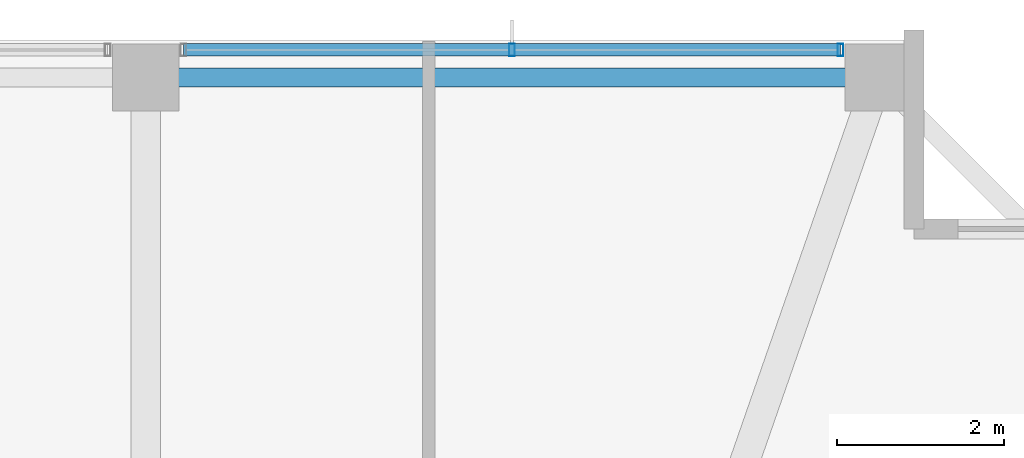
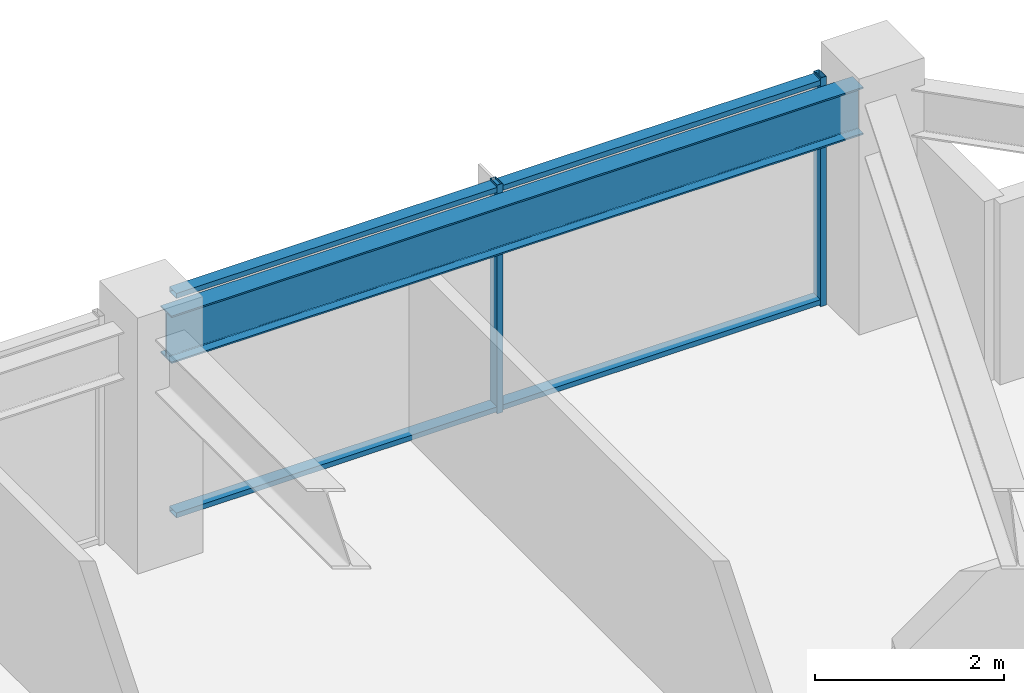
# One storey, part 20 of 34: 4 members, 1 beam, 1 element without a shape of its own.
"""IFC4 building model written with IfcOpenShell, lengths in metres."""

from ifc_helpers import new_model, si_unit, direction, frame, origin, origin_2d, place, context, subcontext, project, spatial, hollow_rectangle, i_section, extrude, material, material_profile, profile_set, type_object, element, aggregate, save


model = new_model("IFC4")

# Units and contexts
model_context = context("Model", 3, precision=1e-05, world=origin(), true_north=direction((0.0, 1.0)))
body_context = subcontext(model_context, "Body", "Model", "MODEL_VIEW")
ifc_project = project(units=[si_unit("LENGTHUNIT", "METRE"), si_unit("AREAUNIT", "SQUARE_METRE"), si_unit("VOLUMEUNIT", "CUBIC_METRE"), si_unit("PLANEANGLEUNIT", "RADIAN"), si_unit("MASSUNIT", "GRAM", prefix="KILO")], contexts=[model_context])

# Site, building, storey
site_placement = place(None, origin())
site = spatial("IfcSite", under=ifc_project, at=site_placement, CompositionType="ELEMENT")
building_placement = place(site_placement, origin())
building = spatial("IfcBuilding", under=site, at=building_placement, Name="Kolvaren Belvedere", CompositionType="ELEMENT")
storey_placement = place(building_placement, frame((0.0, 0.0, 229.5)))
storey = spatial("IfcBuildingStorey", under=building, at=storey_placement, Name="L67", CompositionType="ELEMENT", Elevation=229.5)

# Beam
ifc_material_1 = material(Name="Structural steel ASTM A992 Grade 50", Category="steel")
ifc_material_profile_1 = material_profile(ifc_material_1, i_section(OverallWidth=0.22900390625, OverallDepth=0.612060546875, WebThickness=0.011962890625, FlangeThickness=0.01953125, FilletRadius=0.01806640625, at=origin_2d()), Name="W24X84")
ifc_profile_set_1 = profile_set([ifc_material_profile_1], Name="Structural steel ASTM A992 Grade 50")
beam_type = type_object("IfcBeamType", Name="BM-SPAN-W24X84", PredefinedType="SPANDREL", material=ifc_profile_set_1)
beam_placement = place(storey_placement, frame((13.219970703125, 19.949951171875, 2.64404296875), z_axis=(-1.0, 0.0, 0.0), x_axis=(0.0, -1.0, 0.0)))
element("IfcBeam", 1, at=beam_placement, inside=storey, type_object=beam_type, Name="L67 Perimeter Spandrel N4-N3", PredefinedType="SPANDREL", context=body_context, shape_type="SweptSolid", body=[
    extrude(i_section(OverallWidth=0.22900390625, OverallDepth=0.612060546875, WebThickness=0.011962890625, FlangeThickness=0.01953125, FilletRadius=0.01806640625, at=origin_2d()), origin(), (0.0, 0.0, 1.0), 8.43994140625),
])

# Curtain wall, members
ifc_material_2 = material(Name="Anodised pale-metal aluminium AA 6063-T6", Category="aluminium")
curtain_wall_type = type_object("IfcCurtainWallType", Name="CW-Z5-HIGH", PredefinedType="NOTDEFINED", material=ifc_material_2)
curtain_wall_placement = place(storey_placement, origin())
curtain_wall = element("IfcCurtainWall", 2, at=curtain_wall_placement, inside=storey, type_object=curtain_wall_type, Name="L67 Unitised Curtain Wall FCW-L67-N-B3", PredefinedType="NOTDEFINED")
ifc_material_3 = material(Name="Anodised pale-metal aluminium AA 6063-T6", Category="aluminium")
ifc_material_profile_2 = material_profile(ifc_material_3, hollow_rectangle(XDim=0.070068359375, YDim=0.14990234375, WallThickness=0.004150390625, at=origin_2d()), Name="ALU-MUL-150X70")
ifc_profile_set_2 = profile_set([ifc_material_profile_2], Name="Anodised pale-metal aluminium AA 6063-T6")
member_type_1 = type_object("IfcMemberType", Name="CW-MUL-150", PredefinedType="MULLION", material=ifc_profile_set_2)
member_1_placement = place(storey_placement, frame((9.0, 20.280029296875, 0.0), z_axis=(0.0, 0.0, 1.0), x_axis=(1.0, 0.0, 0.0)))
member_1 = element("IfcMember", 3, at=member_1_placement, type_object=member_type_1, Name="FCW-L67-N-B3 Unitised Mullion 2", PredefinedType="MULLION", context=body_context, shape_type="SweptSolid", body=[
    extrude(hollow_rectangle(XDim=0.070068359375, YDim=0.14990234375, WallThickness=0.004150390625, at=origin_2d()), origin(), (0.0, 0.0, 1.0), 2.949951171875),
])
member_2_placement = place(storey_placement, frame((12.945068359375, 20.280029296875, 0.0), z_axis=(0.0, 0.0, 1.0), x_axis=(1.0, 0.0, 0.0)))
member_2 = element("IfcMember", 4, at=member_2_placement, type_object=member_type_1, Name="FCW-L67-N-B3 Unitised Mullion 3", PredefinedType="MULLION", context=body_context, shape_type="SweptSolid", body=[
    extrude(hollow_rectangle(XDim=0.070068359375, YDim=0.14990234375, WallThickness=0.004150390625, at=origin_2d()), origin(), (0.0, 0.0, 1.0), 2.949951171875),
])
ifc_material_4 = material(Name="Anodised pale-metal aluminium AA 6063-T6", Category="aluminium")
ifc_material_profile_3 = material_profile(ifc_material_4, hollow_rectangle(XDim=0.06494140625, YDim=0.14990234375, WallThickness=0.00390625, at=origin_2d()), Name="ALU-TRN-150X65")
ifc_profile_set_3 = profile_set([ifc_material_profile_3], Name="Anodised pale-metal aluminium AA 6063-T6")
member_type_2 = type_object("IfcMemberType", Name="CW-TRN-150", PredefinedType="USERDEFINED", material=ifc_profile_set_3)
member_3_placement = place(storey_placement, frame((5.054931640625, 20.280029296875, 0.06005859375), z_axis=(1.0, 0.0, 0.0), x_axis=(0.0, 0.0, 1.0)))
member_3 = element("IfcMember", 5, at=member_3_placement, type_object=member_type_2, Name="FCW-L67-N-B3 Sill Transom", ObjectType="TRANSOM", PredefinedType="USERDEFINED", context=body_context, shape_type="SweptSolid", body=[
    extrude(hollow_rectangle(XDim=0.06494140625, YDim=0.14990234375, WallThickness=0.00390625, at=origin_2d()), origin(), (0.0, 0.0, 1.0), 7.89013671875),
])
member_4_placement = place(storey_placement, frame((5.054931640625, 20.280029296875, 2.889892578125), z_axis=(1.0, 0.0, 0.0), x_axis=(0.0, 0.0, 1.0)))
member_4 = element("IfcMember", 6, at=member_4_placement, type_object=member_type_2, Name="FCW-L67-N-B3 Head Transom", ObjectType="TRANSOM", PredefinedType="USERDEFINED", context=body_context, shape_type="SweptSolid", body=[
    extrude(hollow_rectangle(XDim=0.06494140625, YDim=0.14990234375, WallThickness=0.00390625, at=origin_2d()), origin(), (0.0, 0.0, 1.0), 7.89013671875),
])
aggregate(curtain_wall, [member_1, member_2, member_3, member_4])

save(model, "model.ifc")
